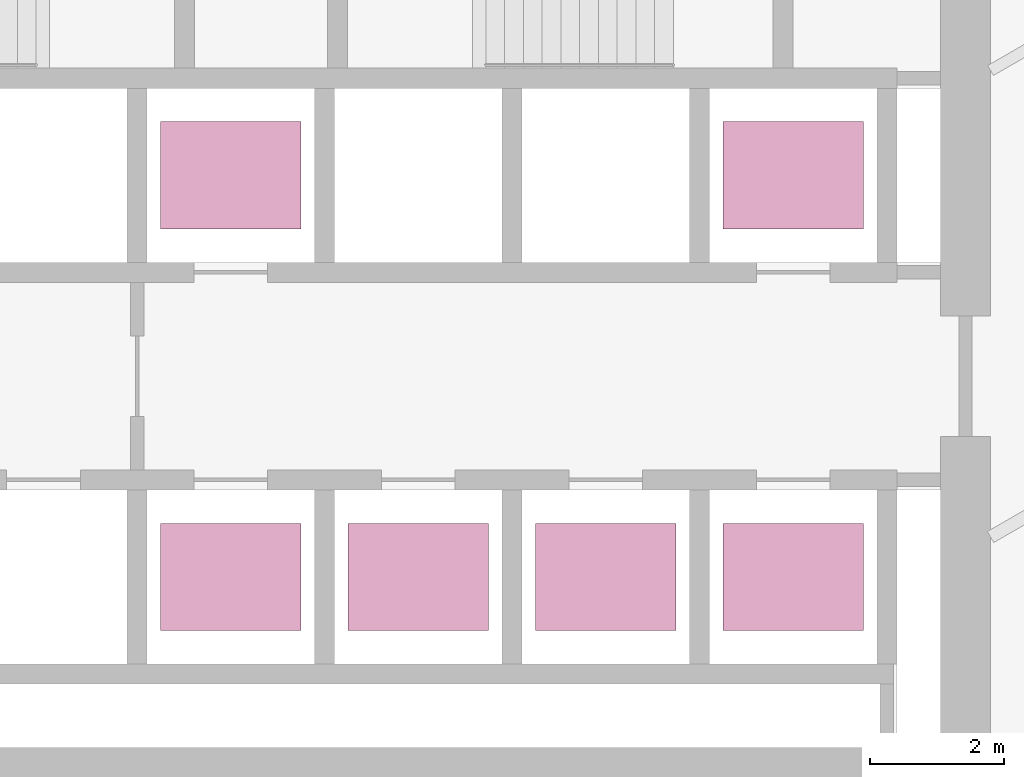
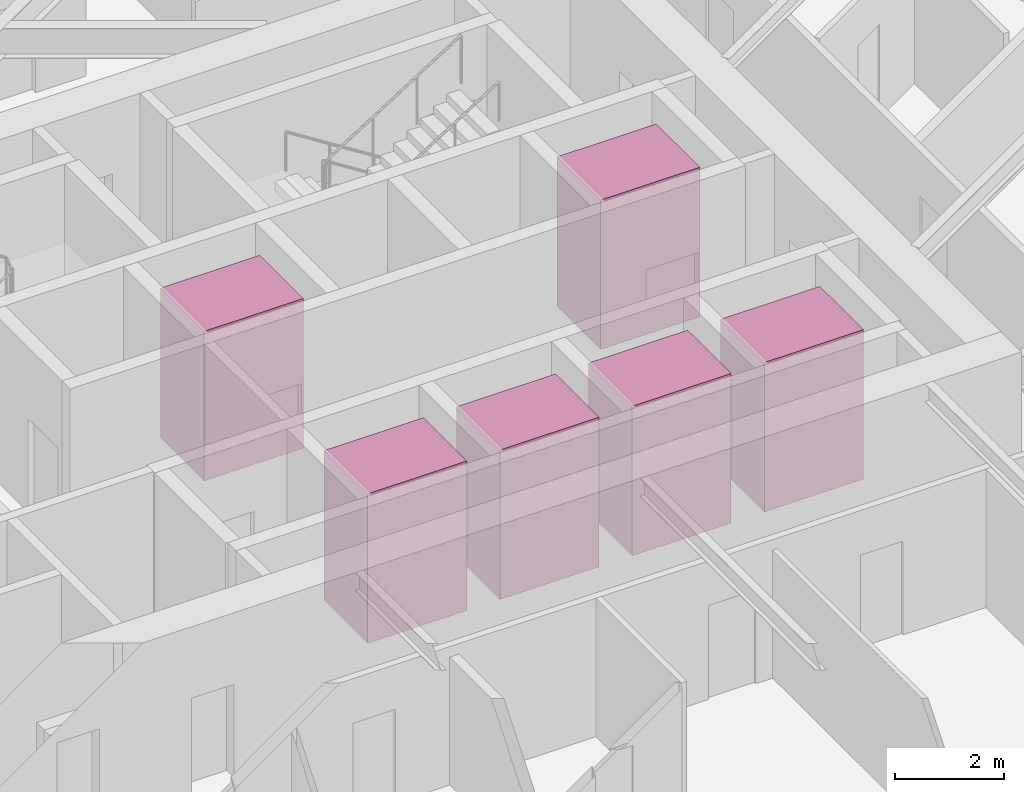
# One storey, part 31 of 32: 6 transport elements.
"""IFC4 building model written with IfcOpenShell, lengths in metres."""

from ifc_helpers import new_model, si_unit, direction, frame, origin, origin_2d, place, context, subcontext, project, spatial, rectangle, extrude, material, type_object, element, save


model = new_model("IFC4")

# Units and contexts
model_context = context("Model", 3, precision=1e-05, world=origin(), true_north=direction((0.0, 1.0)))
body_context = subcontext(model_context, "Body", "Model", "MODEL_VIEW")
ifc_project = project(units=[si_unit("LENGTHUNIT", "METRE"), si_unit("AREAUNIT", "SQUARE_METRE"), si_unit("VOLUMEUNIT", "CUBIC_METRE"), si_unit("PLANEANGLEUNIT", "RADIAN"), si_unit("MASSUNIT", "GRAM", prefix="KILO")], contexts=[model_context])

# Site, building, storey
site_placement = place(None, origin())
site = spatial("IfcSite", under=ifc_project, at=site_placement, CompositionType="ELEMENT")
building_placement = place(site_placement, origin())
building = spatial("IfcBuilding", under=site, at=building_placement, Name="Firuza Gate Tower and Library", CompositionType="ELEMENT")
storey_placement = place(building_placement, frame((0.0, 0.0, 163.60009765625)))
storey = spatial("IfcBuildingStorey", under=building, at=storey_placement, Name="L37", CompositionType="ELEMENT", Elevation=163.60009765625)

# Transport elements
ifc_material = material(Name="Stainless steel and glass", Category="steel")
transport_element_type = type_object("IfcTransportElementType", Name="Mid-rise lift car 2100x1600", PredefinedType="ELEVATOR", material=ifc_material)
for number, where, z_axis, x_axis, name in (
    (1, (74.64990234375, 70.300048828125, -0.000244140625), (0.0, 0.0, 1.0), (1.0, 0.0, 0.0), "Mid-rise lift MR1"),
    (2, (77.449951171875, 70.300048828125, -0.000244140625), (0.0, 0.0, 1.0), (1.0, 0.0, 0.0), "Mid-rise lift MR2"),
    (3, (80.25, 70.300048828125, -0.000244140625), (0.0, 0.0, 1.0), (1.0, 0.0, 0.0), "Mid-rise lift MR3"),
    (4, (74.64990234375, 76.300048828125, -0.000244140625), (0.0, 0.0, 1.0), (1.0, 0.0, 0.0), "Mid-rise lift MR4"),
    (5, (83.050048828125, 70.300048828125, -0.000244140625), (0.0, 0.0, 1.0), (1.0, 0.0, 0.0), "Mid-rise lift MR5"),
    (6, (83.050048828125, 76.300048828125, -0.000244140625), (0.0, 0.0, 1.0), (1.0, 0.0, 0.0), "Mid-rise lift MR6"),
):
    element("IfcTransportElement", number, at=place(storey_placement, frame(where, z_axis=z_axis, x_axis=x_axis)), inside=storey, type_object=transport_element_type, Name=name, PredefinedType="ELEVATOR", context=body_context, shape_type="SweptSolid", body=[
        extrude(rectangle(XDim=2.10009765625, YDim=1.60009765625, at=origin_2d()), origin(), (0.0, 0.0, 1.0), 3.35009765625),
    ])

save(model, "model.ifc")
